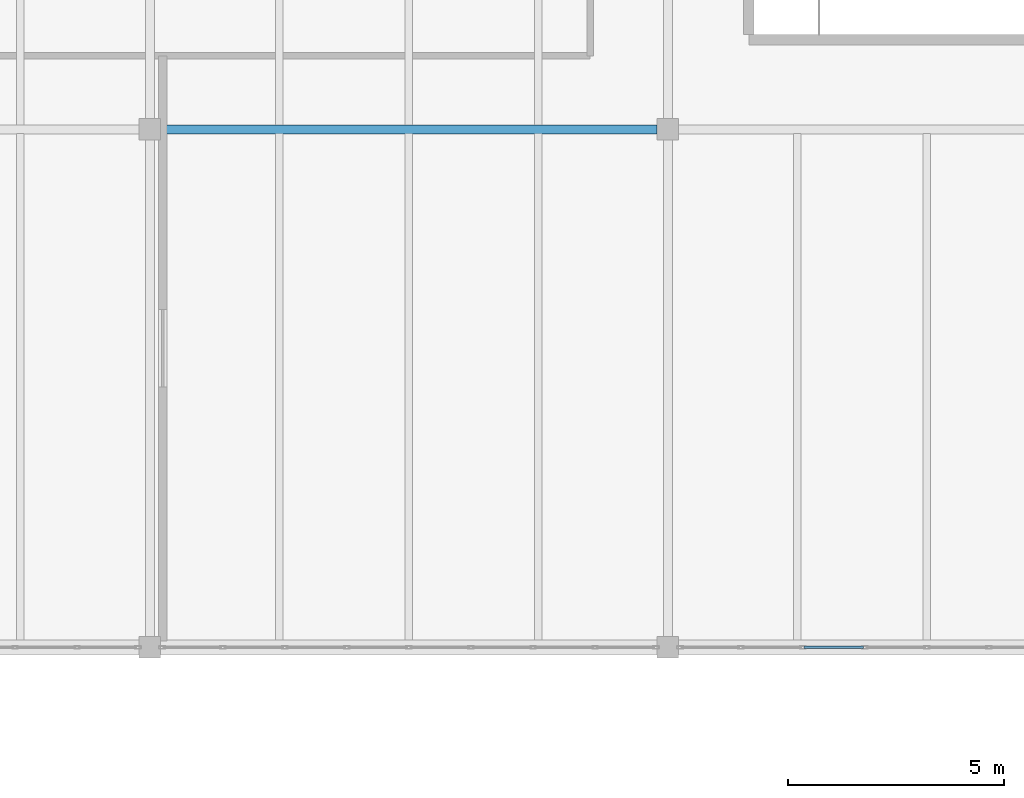
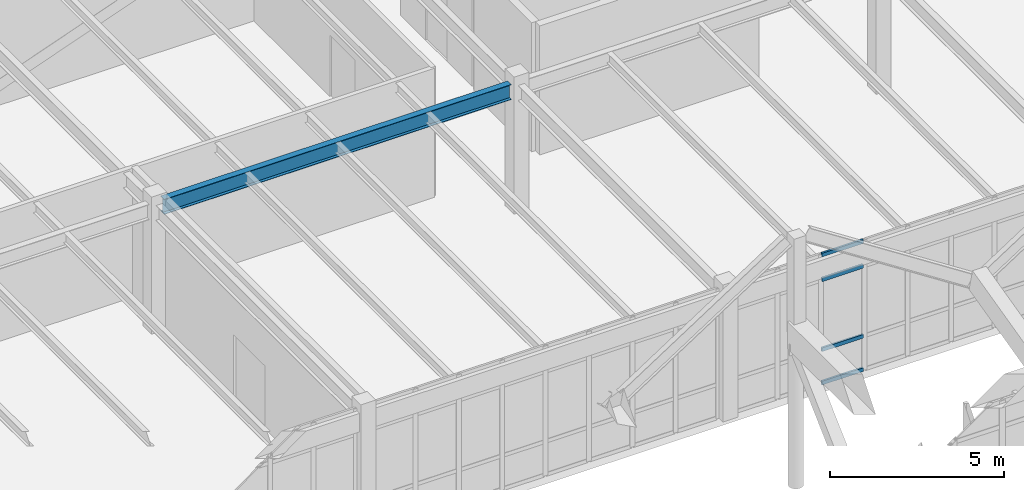
# One storey, part 104 of 236: 4 members, 1 beam, 1 element without a shape of its own.
"""IFC4 building model written with IfcOpenShell, lengths in metres."""

from ifc_helpers import new_model, si_unit, direction, frame, origin, origin_2d, place, context, subcontext, project, spatial, hollow_rectangle, i_section, extrude, material, layer, layer_set, material_profile, profile_set, type_object, element, aggregate, save


model = new_model("IFC4")

# Units and contexts
model_context = context("Model", 3, precision=1e-05, world=origin(), true_north=direction((0.0, 1.0)))
body_context = subcontext(model_context, "Body", "Model", "MODEL_VIEW")
ifc_project = project(units=[si_unit("LENGTHUNIT", "METRE"), si_unit("AREAUNIT", "SQUARE_METRE"), si_unit("VOLUMEUNIT", "CUBIC_METRE"), si_unit("PLANEANGLEUNIT", "RADIAN"), si_unit("MASSUNIT", "GRAM", prefix="KILO")], contexts=[model_context])

# Site, building, storey
site_placement = place(None, origin())
site = spatial("IfcSite", under=ifc_project, at=site_placement, CompositionType="ELEMENT")
building_placement = place(site_placement, origin())
building = spatial("IfcBuilding", under=site, at=building_placement, Name="Pandanus Reach Market Hall", CompositionType="ELEMENT")
storey_placement = place(building_placement, frame((0.0, 0.0, 5.39990234375)))
storey = spatial("IfcBuildingStorey", under=building, at=storey_placement, Name="L01", CompositionType="ELEMENT", Elevation=5.39990234375)

# Beam
ifc_material_1 = material(Name="Steel Grade 350 (350 MPa)", Category="steel")
ifc_material_profile_1 = material_profile(ifc_material_1, i_section(OverallWidth=0.208984375, OverallDepth=0.532958984375, WebThickness=0.01025390625, FlangeThickness=0.015625, at=origin_2d()), Name="530UB92.4", Category="LoadBearing")
ifc_profile_set_1 = profile_set([ifc_material_profile_1], Name="Steel Grade 350 (350 MPa)")
beam_type = type_object("IfcBeamType", Name="BM-UB530-I", PredefinedType="BEAM", material=ifc_profile_set_1)
beam_placement = place(storey_placement, frame((96.248046875, 108.0, 4.193115234375), z_axis=(1.0, 0.0, 0.0), x_axis=(0.0, 1.0, 0.0)))
element("IfcBeam", 1, at=beam_placement, inside=storey, type_object=beam_type, Name="Framing beam BM-UB530-I L01.858", PredefinedType="BEAM", context=body_context, shape_type="SweptSolid", body=[
    extrude(i_section(OverallWidth=0.208984375, OverallDepth=0.532958984375, WebThickness=0.01025390625, FlangeThickness=0.015625, at=origin_2d()), origin(), (0.0, 0.0, 1.0), 11.50390625),
])

# Curtain wall, members
ifc_material_2 = material(Name="Bronze anodised aluminium and low-E glass", Category="aluminium")
ifc_layer = layer(ifc_material_2, 0.159912109375, Name="CW-38")
ifc_layer_set = layer_set([ifc_layer], Name="Bronze anodised aluminium and low-E glass")
curtain_wall_type = type_object("IfcCurtainWallType", Name="CW-38", PredefinedType="NOTDEFINED", material=ifc_layer_set)
curtain_wall_placement = place(storey_placement, origin())
curtain_wall = element("IfcCurtainWall", 2, at=curtain_wall_placement, inside=storey, type_object=curtain_wall_type, Name="Glazed curtain wall CW-38 CW-0141", PredefinedType="NOTDEFINED")
ifc_material_3 = material(Name="Bronze anodised aluminium", Category="aluminium")
ifc_material_profile_2 = material_profile(ifc_material_3, hollow_rectangle(XDim=0.06494140625, YDim=0.1298828125, WallThickness=0.00390625, at=origin_2d()), Name="ALU65x130", Category="LoadBearing")
ifc_profile_set_2 = profile_set([ifc_material_profile_2], Name="Bronze anodised aluminium")
member_type = type_object("IfcMemberType", Name="CW-T1", PredefinedType="USERDEFINED", material=ifc_profile_set_2)
member_1_placement = place(storey_placement, frame((111.157470703125, 96.0, 0.03271484375), z_axis=(1.0, 0.0, 0.0), x_axis=(0.0, 1.0, 0.0)))
member_1 = element("IfcMember", 3, at=member_1_placement, type_object=member_type, Name="CW-38 transom 3.1", ObjectType="TRANSOM", PredefinedType="USERDEFINED", context=body_context, shape_type="SweptSolid", body=[
    extrude(hollow_rectangle(XDim=0.06494140625, YDim=0.1298828125, WallThickness=0.00390625, at=origin_2d()), origin(), (0.0, 0.0, 1.0), 1.37255859375),
])
member_2_placement = place(storey_placement, frame((111.157470703125, 96.0, 1.2001953125), z_axis=(1.0, 0.0, 0.0), x_axis=(0.0, 1.0, 0.0)))
member_2 = element("IfcMember", 4, at=member_2_placement, type_object=member_type, Name="CW-38 transom 3.2", ObjectType="TRANSOM", PredefinedType="USERDEFINED", context=body_context, shape_type="SweptSolid", body=[
    extrude(hollow_rectangle(XDim=0.06494140625, YDim=0.1298828125, WallThickness=0.00390625, at=origin_2d()), origin(), (0.0, 0.0, 1.0), 1.37255859375),
])
member_3_placement = place(storey_placement, frame((111.157470703125, 96.0, 3.650146484375), z_axis=(1.0, 0.0, 0.0), x_axis=(0.0, 1.0, 0.0)))
member_3 = element("IfcMember", 5, at=member_3_placement, type_object=member_type, Name="CW-38 transom 3.3", ObjectType="TRANSOM", PredefinedType="USERDEFINED", context=body_context, shape_type="SweptSolid", body=[
    extrude(hollow_rectangle(XDim=0.06494140625, YDim=0.1298828125, WallThickness=0.00390625, at=origin_2d()), origin(), (0.0, 0.0, 1.0), 1.37255859375),
])
member_4_placement = place(storey_placement, frame((111.157470703125, 96.0, 4.517578125), z_axis=(1.0, 0.0, 0.0), x_axis=(0.0, 1.0, 0.0)))
member_4 = element("IfcMember", 6, at=member_4_placement, type_object=member_type, Name="CW-38 transom 3.4", ObjectType="TRANSOM", PredefinedType="USERDEFINED", context=body_context, shape_type="SweptSolid", body=[
    extrude(hollow_rectangle(XDim=0.06494140625, YDim=0.1298828125, WallThickness=0.00390625, at=origin_2d()), origin(), (0.0, 0.0, 1.0), 1.37255859375),
])
aggregate(curtain_wall, [member_1, member_2, member_3, member_4])

save(model, "model.ifc")
